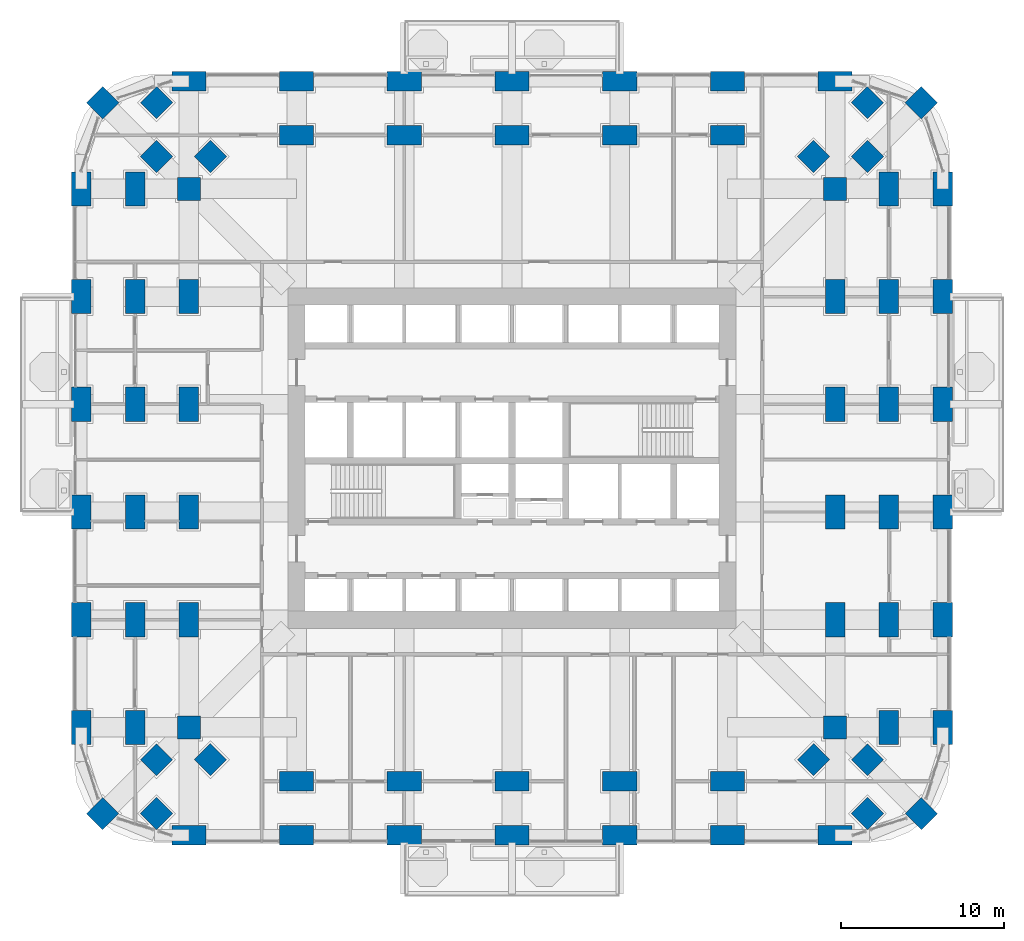
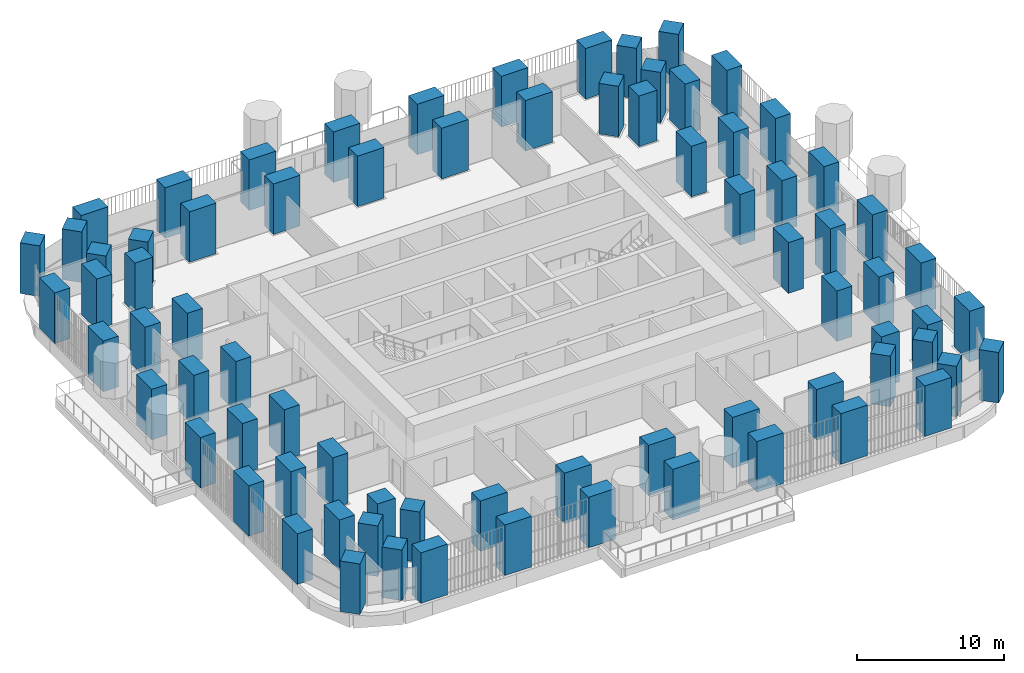
# One storey, part 1 of 26: 76 columns.
"""IFC4 building model written with IfcOpenShell, lengths in metres."""

from ifc_helpers import new_model, si_unit, direction, frame, origin, origin_2d, place, context, subcontext, project, spatial, rectangle, extrude, material, material_profile, profile_set, type_object, element, save


model = new_model("IFC4")

# Units and contexts
model_context = context("Model", 3, precision=1e-05, world=origin(), true_north=direction((0.0, 1.0)))
body_context = subcontext(model_context, "Body", "Model", "MODEL_VIEW")
ifc_project = project(units=[si_unit("LENGTHUNIT", "METRE"), si_unit("AREAUNIT", "SQUARE_METRE"), si_unit("VOLUMEUNIT", "CUBIC_METRE"), si_unit("PLANEANGLEUNIT", "RADIAN"), si_unit("MASSUNIT", "GRAM", prefix="KILO")], contexts=[model_context])

# Site, building, storey
site_placement = place(None, origin())
site = spatial("IfcSite", under=ifc_project, at=site_placement, CompositionType="ELEMENT")
building_placement = place(site_placement, origin())
building = spatial("IfcBuilding", under=site, at=building_placement, Name="Cobogo Forest Laboratory Tower", CompositionType="ELEMENT")
storey_placement = place(building_placement, frame((0.0, 0.0, 42.300048828125)))
storey = spatial("IfcBuildingStorey", under=building, at=storey_placement, Name="L09", CompositionType="ELEMENT", Elevation=42.300048828125)

# Columns
ifc_material = material(Name="Concrete HA-50 (C50/60)", Category="concrete")
ifc_material_profile_1 = material_profile(ifc_material, rectangle(XDim=2.10009765625, YDim=1.199951171875, at=origin_2d()), Name="RC 1200x2100")
ifc_profile_set_1 = profile_set([ifc_material_profile_1], Name="Concrete HA-50 (C50/60)")
column_type_1 = type_object("IfcColumnType", Name="Blade column 1200x2100", PredefinedType="COLUMN", material=ifc_profile_set_1)
for number, where, z_axis, x_axis, name in (
    (1, (6.60009765625, 0.0, 0.0), (0.0, 0.0, 1.0), (1.0, 0.0, 0.0), "Column 2-A L09"),
    (2, (13.199951171875, 0.0, 0.0), (0.0, 0.0, 1.0), (1.0, 0.0, 0.0), "Column 3-A L09"),
    (3, (19.800048828125, 0.0, 0.0), (0.0, 0.0, 1.0), (1.0, 0.0, 0.0), "Column 4-A L09"),
    (4, (26.39990234375, 0.0, 0.0), (0.0, 0.0, 1.0), (1.0, 0.0, 0.0), "Column 5-A L09"),
    (5, (33.0, 0.0, 0.0), (0.0, 0.0, 1.0), (1.0, 0.0, 0.0), "Column 6-A L09"),
    (6, (39.60009765625, 0.0, 0.0), (0.0, 0.0, 1.0), (1.0, 0.0, 0.0), "Column 7-A L09"),
    (7, (46.199951171875, 0.0, 0.0), (0.0, 0.0, 1.0), (1.0, 0.0, 0.0), "Column 8-A L09"),
    (8, (0.0, 6.60009765625, 0.0), (0.0, 0.0, 1.0), (0.0, 1.0, 0.0), "Column 1-B L09"),
    (9, (52.800048828125, 6.60009765625, 0.0), (0.0, 0.0, 1.0), (0.0, 1.0, 0.0), "Column 9-B L09"),
    (10, (0.0, 13.199951171875, 0.0), (0.0, 0.0, 1.0), (0.0, 1.0, 0.0), "Column 1-C L09"),
    (11, (52.800048828125, 13.199951171875, 0.0), (0.0, 0.0, 1.0), (0.0, 1.0, 0.0), "Column 9-C L09"),
    (12, (0.0, 19.800048828125, 0.0), (0.0, 0.0, 1.0), (0.0, 1.0, 0.0), "Column 1-D L09"),
    (13, (52.800048828125, 19.800048828125, 0.0), (0.0, 0.0, 1.0), (0.0, 1.0, 0.0), "Column 9-D L09"),
    (14, (0.0, 26.39990234375, 0.0), (0.0, 0.0, 1.0), (0.0, 1.0, 0.0), "Column 1-E L09"),
    (15, (52.800048828125, 26.39990234375, 0.0), (0.0, 0.0, 1.0), (0.0, 1.0, 0.0), "Column 9-E L09"),
    (16, (0.0, 33.0, 0.0), (0.0, 0.0, 1.0), (0.0, 1.0, 0.0), "Column 1-F L09"),
    (17, (52.800048828125, 33.0, 0.0), (0.0, 0.0, 1.0), (0.0, 1.0, 0.0), "Column 9-F L09"),
    (18, (0.0, 39.60009765625, 0.0), (0.0, 0.0, 1.0), (0.0, 1.0, 0.0), "Column 1-G L09"),
    (19, (52.800048828125, 39.60009765625, 0.0), (0.0, 0.0, 1.0), (0.0, 1.0, 0.0), "Column 9-G L09"),
    (20, (6.60009765625, 46.199951171875, 0.0), (0.0, 0.0, 1.0), (1.0, 0.0, 0.0), "Column 2-H L09"),
    (21, (13.199951171875, 46.199951171875, 0.0), (0.0, 0.0, 1.0), (1.0, 0.0, 0.0), "Column 3-H L09"),
    (22, (19.800048828125, 46.199951171875, 0.0), (0.0, 0.0, 1.0), (1.0, 0.0, 0.0), "Column 4-H L09"),
    (23, (26.39990234375, 46.199951171875, 0.0), (0.0, 0.0, 1.0), (1.0, 0.0, 0.0), "Column 5-H L09"),
    (24, (33.0, 46.199951171875, 0.0), (0.0, 0.0, 1.0), (1.0, 0.0, 0.0), "Column 6-H L09"),
    (25, (39.60009765625, 46.199951171875, 0.0), (0.0, 0.0, 1.0), (1.0, 0.0, 0.0), "Column 7-H L09"),
    (26, (46.199951171875, 46.199951171875, 0.0), (0.0, 0.0, 1.0), (1.0, 0.0, 0.0), "Column 8-H L09"),
    (27, (3.300048828125, 6.60009765625, 0.0), (0.0, 0.0, 1.0), (0.0, 1.0, 0.0), "Column 1.1-B-B L09"),
    (28, (49.5, 6.60009765625, 0.0), (0.0, 0.0, 1.0), (0.0, 1.0, 0.0), "Column 8.1-B-B L09"),
    (29, (3.300048828125, 13.199951171875, 0.0), (0.0, 0.0, 1.0), (0.0, 1.0, 0.0), "Column 1.1-C-B L09"),
    (30, (49.5, 13.199951171875, 0.0), (0.0, 0.0, 1.0), (0.0, 1.0, 0.0), "Column 8.1-C-B L09"),
    (31, (3.300048828125, 19.800048828125, 0.0), (0.0, 0.0, 1.0), (0.0, 1.0, 0.0), "Column 1.1-D-B L09"),
    (32, (49.5, 19.800048828125, 0.0), (0.0, 0.0, 1.0), (0.0, 1.0, 0.0), "Column 8.1-D-B L09"),
    (33, (3.300048828125, 26.39990234375, 0.0), (0.0, 0.0, 1.0), (0.0, 1.0, 0.0), "Column 1.1-E-B L09"),
    (34, (49.5, 26.39990234375, 0.0), (0.0, 0.0, 1.0), (0.0, 1.0, 0.0), "Column 8.1-E-B L09"),
    (35, (3.300048828125, 33.0, 0.0), (0.0, 0.0, 1.0), (0.0, 1.0, 0.0), "Column 1.1-F-B L09"),
    (36, (49.5, 33.0, 0.0), (0.0, 0.0, 1.0), (0.0, 1.0, 0.0), "Column 8.1-F-B L09"),
    (37, (3.300048828125, 39.60009765625, 0.0), (0.0, 0.0, 1.0), (0.0, 1.0, 0.0), "Column 1.1-G-B L09"),
    (38, (49.5, 39.60009765625, 0.0), (0.0, 0.0, 1.0), (0.0, 1.0, 0.0), "Column 8.1-G-B L09"),
    (39, (13.199951171875, 3.300048828125, 0.0), (0.0, 0.0, 1.0), (1.0, 0.0, 0.0), "Column 3-A.1-C L09"),
    (40, (19.800048828125, 3.300048828125, 0.0), (0.0, 0.0, 1.0), (1.0, 0.0, 0.0), "Column 4-A.1-C L09"),
    (41, (26.39990234375, 3.300048828125, 0.0), (0.0, 0.0, 1.0), (1.0, 0.0, 0.0), "Column 5-A.1-C L09"),
    (42, (33.0, 3.300048828125, 0.0), (0.0, 0.0, 1.0), (1.0, 0.0, 0.0), "Column 6-A.1-C L09"),
    (43, (39.60009765625, 3.300048828125, 0.0), (0.0, 0.0, 1.0), (1.0, 0.0, 0.0), "Column 7-A.1-C L09"),
    (44, (13.199951171875, 42.89990234375, 0.0), (0.0, 0.0, 1.0), (1.0, 0.0, 0.0), "Column 3-G.1-C L09"),
    (45, (19.800048828125, 42.89990234375, 0.0), (0.0, 0.0, 1.0), (1.0, 0.0, 0.0), "Column 4-G.1-C L09"),
    (46, (26.39990234375, 42.89990234375, 0.0), (0.0, 0.0, 1.0), (1.0, 0.0, 0.0), "Column 5-G.1-C L09"),
    (47, (33.0, 42.89990234375, 0.0), (0.0, 0.0, 1.0), (1.0, 0.0, 0.0), "Column 6-G.1-C L09"),
    (48, (39.60009765625, 42.89990234375, 0.0), (0.0, 0.0, 1.0), (1.0, 0.0, 0.0), "Column 7-G.1-C L09"),
    (49, (6.60009765625, 13.199951171875, 0.0), (0.0, 0.0, 1.0), (0.0, 1.0, 0.0), "Column 2-C-D L09"),
    (50, (46.199951171875, 13.199951171875, 0.0), (0.0, 0.0, 1.0), (0.0, 1.0, 0.0), "Column 8-C-D L09"),
    (51, (6.60009765625, 19.800048828125, 0.0), (0.0, 0.0, 1.0), (0.0, 1.0, 0.0), "Column 2-D-D L09"),
    (52, (46.199951171875, 19.800048828125, 0.0), (0.0, 0.0, 1.0), (0.0, 1.0, 0.0), "Column 8-D-D L09"),
    (53, (6.60009765625, 26.39990234375, 0.0), (0.0, 0.0, 1.0), (0.0, 1.0, 0.0), "Column 2-E-D L09"),
    (54, (46.199951171875, 26.39990234375, 0.0), (0.0, 0.0, 1.0), (0.0, 1.0, 0.0), "Column 8-E-D L09"),
    (55, (6.60009765625, 33.0, 0.0), (0.0, 0.0, 1.0), (0.0, 1.0, 0.0), "Column 2-F-D L09"),
    (56, (46.199951171875, 33.0, 0.0), (0.0, 0.0, 1.0), (0.0, 1.0, 0.0), "Column 8-F-D L09"),
):
    element("IfcColumn", number, at=place(storey_placement, frame(where, z_axis=z_axis, x_axis=x_axis)), inside=storey, type_object=column_type_1, Name=name, PredefinedType="COLUMN", context=body_context, shape_type="SweptSolid", body=[
        extrude(rectangle(XDim=2.10009765625, YDim=1.199951171875, at=origin_2d()), origin(), (0.0, 0.0, 1.0), 4.199951171875),
    ])
ifc_material_profile_2 = material_profile(ifc_material, rectangle(XDim=1.39990234375, YDim=1.39990234375, at=origin_2d()), Name="RC 1400x1400")
ifc_profile_set_2 = profile_set([ifc_material_profile_2], Name="Concrete HA-50 (C50/60)")
column_type_2 = type_object("IfcColumnType", Name="Column 1400x1400", PredefinedType="COLUMN", material=ifc_profile_set_2)
for number, where, z_axis, x_axis, name in (
    (57, (1.318115234375, 1.318115234375, 0.0), (0.0, 0.0, 1.0), (0.707106781187, 0.707106781187, 0.0), "Column CNR-SW L09"),
    (58, (51.48193359375, 1.318115234375, 0.0), (0.0, 0.0, 1.0), (0.707106781187, 0.707106781187, 0.0), "Column CNR-SE L09"),
    (59, (1.318115234375, 44.882080078125, 0.0), (0.0, 0.0, 1.0), (0.707106781187, 0.707106781187, 0.0), "Column CNR-NW L09"),
    (60, (51.48193359375, 44.882080078125, 0.0), (0.0, 0.0, 1.0), (0.707106781187, 0.707106781187, 0.0), "Column CNR-NE L09"),
    (61, (6.60009765625, 6.60009765625, 0.0), (0.0, 0.0, 1.0), (1.0, 0.0, 0.0), "Column 2-B L09"),
    (62, (46.199951171875, 6.60009765625, 0.0), (0.0, 0.0, 1.0), (1.0, 0.0, 0.0), "Column 8-B L09"),
    (63, (6.60009765625, 39.60009765625, 0.0), (0.0, 0.0, 1.0), (1.0, 0.0, 0.0), "Column 2-G L09"),
    (64, (46.199951171875, 39.60009765625, 0.0), (0.0, 0.0, 1.0), (1.0, 0.0, 0.0), "Column 8-G L09"),
    (65, (4.617919921875, 1.318115234375, 0.0), (0.0, 0.0, 1.0), (0.707106781187, 0.707106781187, 0.0), "Column CNR-SW-B L09"),
    (66, (48.181884765625, 1.318115234375, 0.0), (0.0, 0.0, 1.0), (0.707106781187, 0.707106781187, 0.0), "Column CNR-SE-B L09"),
    (67, (4.617919921875, 44.882080078125, 0.0), (0.0, 0.0, 1.0), (0.707106781187, 0.707106781187, 0.0), "Column CNR-NW-B L09"),
    (68, (48.181884765625, 44.882080078125, 0.0), (0.0, 0.0, 1.0), (0.707106781187, 0.707106781187, 0.0), "Column CNR-NE-B L09"),
    (69, (4.617919921875, 4.617919921875, 0.0), (0.0, 0.0, 1.0), (0.707106781187, 0.707106781187, 0.0), "Column CNR-SW-C L09"),
    (70, (48.181884765625, 4.617919921875, 0.0), (0.0, 0.0, 1.0), (0.707106781187, 0.707106781187, 0.0), "Column CNR-SE-C L09"),
    (71, (4.617919921875, 41.58203125, 0.0), (0.0, 0.0, 1.0), (0.707106781187, 0.707106781187, 0.0), "Column CNR-NW-C L09"),
    (72, (48.181884765625, 41.58203125, 0.0), (0.0, 0.0, 1.0), (0.707106781187, 0.707106781187, 0.0), "Column CNR-NE-C L09"),
    (73, (7.91796875, 4.617919921875, 0.0), (0.0, 0.0, 1.0), (0.707106781187, 0.707106781187, 0.0), "Column CNR-SW-D L09"),
    (74, (44.882080078125, 4.617919921875, 0.0), (0.0, 0.0, 1.0), (0.707106781187, 0.707106781187, 0.0), "Column CNR-SE-D L09"),
    (75, (7.91796875, 41.58203125, 0.0), (0.0, 0.0, 1.0), (0.707106781187, 0.707106781187, 0.0), "Column CNR-NW-D L09"),
    (76, (44.882080078125, 41.58203125, 0.0), (0.0, 0.0, 1.0), (0.707106781187, 0.707106781187, 0.0), "Column CNR-NE-D L09"),
):
    element("IfcColumn", number, at=place(storey_placement, frame(where, z_axis=z_axis, x_axis=x_axis)), inside=storey, type_object=column_type_2, Name=name, PredefinedType="COLUMN", context=body_context, shape_type="SweptSolid", body=[
        extrude(rectangle(XDim=1.39990234375, YDim=1.39990234375, at=origin_2d()), origin(), (0.0, 0.0, 1.0), 4.199951171875),
    ])

save(model, "model.ifc")
